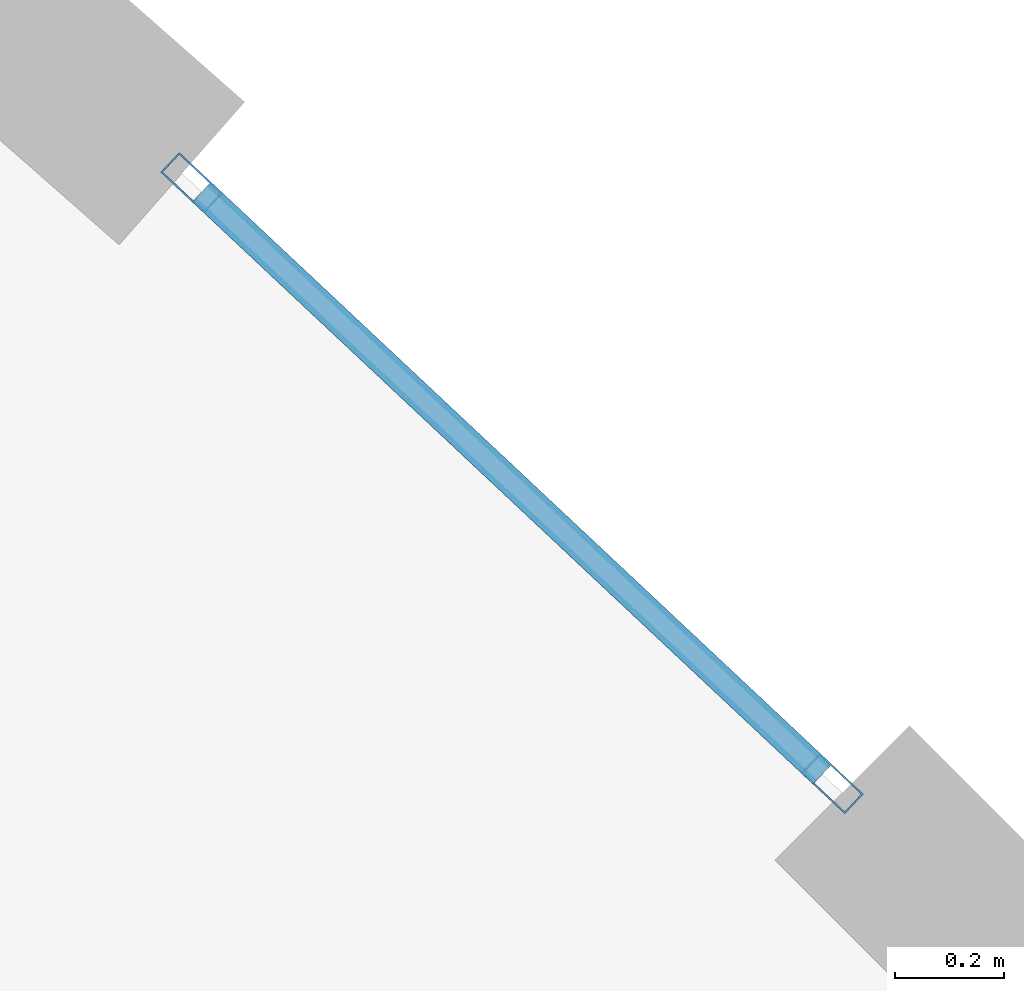
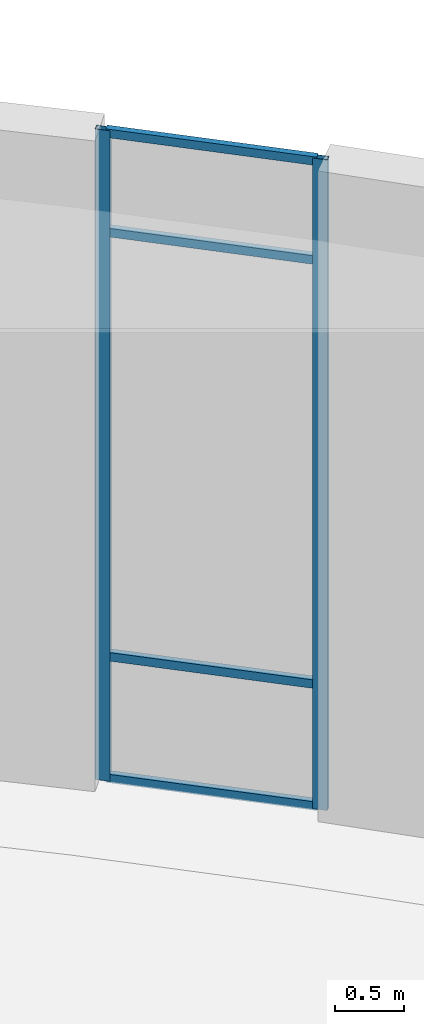
# One storey, part 38 of 85: 6 members, 1 element without a shape of its own.
"""IFC4 building model written with IfcOpenShell, lengths in metres."""

from ifc_helpers import new_model, si_unit, direction, frame, origin, origin_2d, place, context, subcontext, project, spatial, hollow_rectangle, extrude, material, layer, layer_set, material_profile, profile_set, type_object, element, aggregate, save


model = new_model("IFC4")

# Units and contexts
model_context = context("Model", 3, precision=1e-05, world=origin(), true_north=direction((0.0, 1.0)))
body_context = subcontext(model_context, "Body", "Model", "MODEL_VIEW")
ifc_project = project(units=[si_unit("LENGTHUNIT", "METRE"), si_unit("AREAUNIT", "SQUARE_METRE"), si_unit("VOLUMEUNIT", "CUBIC_METRE"), si_unit("PLANEANGLEUNIT", "RADIAN"), si_unit("MASSUNIT", "GRAM", prefix="KILO"), si_unit("THERMODYNAMICTEMPERATUREUNIT", "KELVIN")], contexts=[model_context])

# Site, building, storey
site_placement = place(None, origin())
site = spatial("IfcSite", under=ifc_project, at=site_placement, CompositionType="ELEMENT")
building_placement = place(site_placement, origin())
building = spatial("IfcBuilding", under=site, at=building_placement, Name="Lustrewick Department Store", CompositionType="ELEMENT")
storey_placement = place(building_placement, origin())
storey = spatial("IfcBuildingStorey", under=building, at=storey_placement, Name="L01", CompositionType="ELEMENT", Elevation=0.0)

# Curtain wall, members
ifc_material = material(Name="Thermally broken aluminium 6063-T5", Category="aluminium")
ifc_layer = layer(ifc_material, 0.110107421875, Name="Thermally broken aluminium 6063-T5")
ifc_layer_set = layer_set([ifc_layer], Name="Thermally broken aluminium 6063-T5")
curtain_wall_type = type_object("IfcCurtainWallType", Name="CW09", PredefinedType="NOTDEFINED", material=ifc_layer_set)
curtain_wall_placement = place(storey_placement, origin())
curtain_wall = element("IfcCurtainWall", 1, at=curtain_wall_placement, inside=storey, type_object=curtain_wall_type, Name="L01 V4 Curtain Wall CW09", PredefinedType="NOTDEFINED")
ifc_material_profile_1 = material_profile(ifc_material, hollow_rectangle(XDim=0.050048828125, YDim=0.110107421875, WallThickness=0.0029296875, at=origin_2d()), Name="ALU-M 50x110x3")
ifc_profile_set_1 = profile_set([ifc_material_profile_1], Name="Thermally broken aluminium 6063-T5")
member_type_1 = type_object("IfcMemberType", Name="CW09-M1", PredefinedType="MULLION", material=ifc_profile_set_1)
member_1_placement = place(storey_placement, frame((152.1572265625, 96.97119140625, 0.0), z_axis=(0.0, 0.0, 1.0), x_axis=(-0.68406683598, -0.729419333383, 0.0)))
member_1 = element("IfcMember", 2, at=member_1_placement, type_object=member_type_1, Name="CW09 mullion 1", PredefinedType="MULLION", context=body_context, shape_type="SweptSolid", body=[
    extrude(hollow_rectangle(XDim=0.050048828125, YDim=0.110107421875, WallThickness=0.0029296875, at=origin_2d()), origin(), (0.0, 0.0, 1.0), 5.7451171875),
])
member_2_placement = place(storey_placement, frame((150.977783203125, 98.077392578125, 0.0), z_axis=(0.0, 0.0, 1.0), x_axis=(-0.68406683598, -0.729419333383, 0.0)))
member_2 = element("IfcMember", 3, at=member_2_placement, type_object=member_type_1, Name="CW09 mullion 2", PredefinedType="MULLION", context=body_context, shape_type="SweptSolid", body=[
    extrude(hollow_rectangle(XDim=0.050048828125, YDim=0.110107421875, WallThickness=0.0029296875, at=origin_2d()), origin(), (0.0, 0.0, 1.0), 5.7451171875),
])
ifc_material_profile_2 = material_profile(ifc_material, hollow_rectangle(XDim=0.050048828125, YDim=0.074951171875, WallThickness=0.0029296875, at=origin_2d()), Name="ALU-T 50x75x3")
ifc_profile_set_2 = profile_set([ifc_material_profile_2], Name="Thermally broken aluminium 6063-T5")
member_type_2 = type_object("IfcMemberType", Name="CW09-T1", PredefinedType="USERDEFINED", material=ifc_profile_set_2)
member_3_placement = place(storey_placement, frame((152.138916015625, 96.988525390625, 0.02490234375), z_axis=(-0.72941570763, 0.684070702093, 0.0), x_axis=(-0.684070702093, -0.72941570763, 0.0)))
member_3 = element("IfcMember", 4, at=member_3_placement, type_object=member_type_2, Name="CW09 transom 1.1", ObjectType="TRANSOM", PredefinedType="USERDEFINED", context=body_context, shape_type="SweptSolid", body=[
    extrude(hollow_rectangle(XDim=0.050048828125, YDim=0.074951171875, WallThickness=0.0029296875, at=origin_2d()), origin(), (0.0, 0.0, 1.0), 1.566650390625),
])
member_4_placement = place(storey_placement, frame((152.138916015625, 96.988525390625, 1.10009765625), z_axis=(-0.72941570763, 0.684070702093, 0.0), x_axis=(-0.684070702093, -0.72941570763, 0.0)))
member_4 = element("IfcMember", 5, at=member_4_placement, type_object=member_type_2, Name="CW09 transom 1.2", ObjectType="TRANSOM", PredefinedType="USERDEFINED", context=body_context, shape_type="SweptSolid", body=[
    extrude(hollow_rectangle(XDim=0.050048828125, YDim=0.074951171875, WallThickness=0.0029296875, at=origin_2d()), origin(), (0.0, 0.0, 1.0), 1.566650390625),
])
member_5_placement = place(storey_placement, frame((152.138916015625, 96.988525390625, 4.844970703125), z_axis=(-0.72941570763, 0.684070702093, 0.0), x_axis=(-0.684070702093, -0.72941570763, 0.0)))
member_5 = element("IfcMember", 6, at=member_5_placement, type_object=member_type_2, Name="CW09 transom 1.3", ObjectType="TRANSOM", PredefinedType="USERDEFINED", context=body_context, shape_type="SweptSolid", body=[
    extrude(hollow_rectangle(XDim=0.050048828125, YDim=0.074951171875, WallThickness=0.0029296875, at=origin_2d()), origin(), (0.0, 0.0, 1.0), 1.566650390625),
])
member_6_placement = place(storey_placement, frame((152.138916015625, 96.988525390625, 5.719970703125), z_axis=(-0.72941570763, 0.684070702093, 0.0), x_axis=(-0.684070702093, -0.72941570763, 0.0)))
member_6 = element("IfcMember", 7, at=member_6_placement, type_object=member_type_2, Name="CW09 transom 1.4", ObjectType="TRANSOM", PredefinedType="USERDEFINED", context=body_context, shape_type="SweptSolid", body=[
    extrude(hollow_rectangle(XDim=0.050048828125, YDim=0.074951171875, WallThickness=0.0029296875, at=origin_2d()), origin(), (0.0, 0.0, 1.0), 1.566650390625),
])
aggregate(curtain_wall, [member_1, member_2, member_3, member_4, member_5, member_6])

save(model, "model.ifc")
